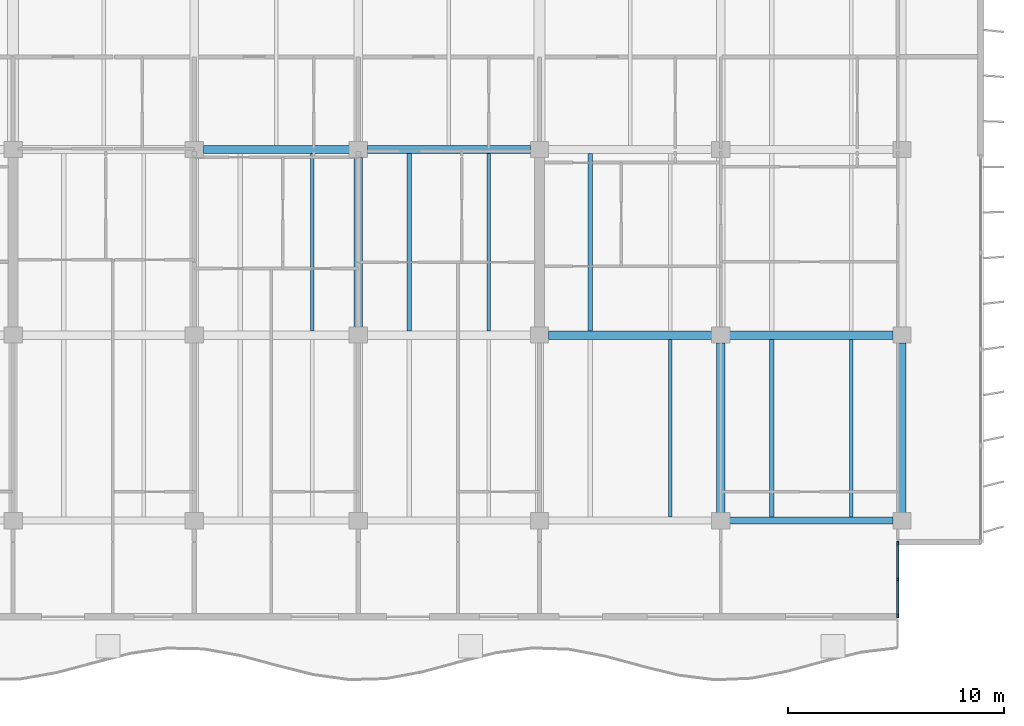
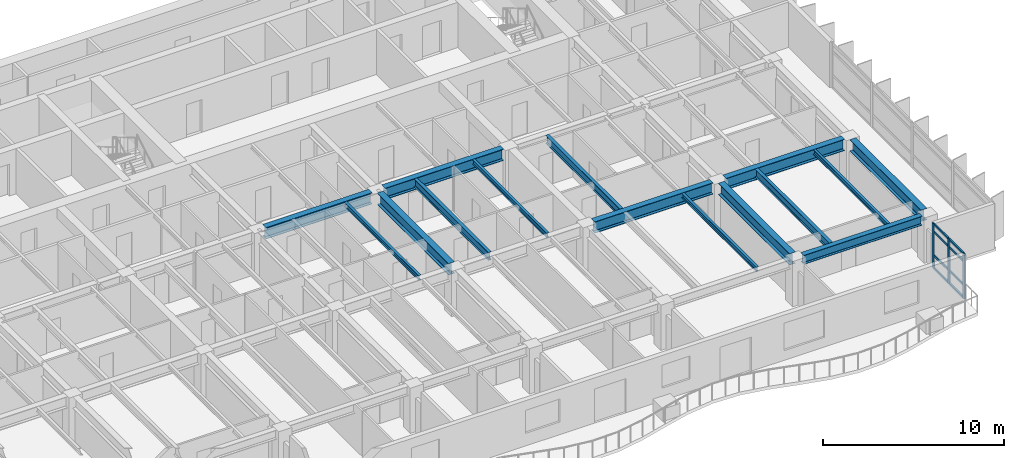
# One storey, part 4 of 19: 15 beams, 11 members, 1 element without a shape of its own.
"""IFC4 building model written with IfcOpenShell, lengths in metres."""

from ifc_helpers import new_model, si_unit, direction, frame, origin, origin_2d, place, context, subcontext, project, spatial, rectangle, i_section, extrude, material, layer, layer_set, material_profile, profile_set, type_object, element, aggregate, save


model = new_model("IFC4")

# Units and contexts
model_context = context("Model", 3, precision=1e-05, world=origin(), true_north=direction((0.0, 1.0)))
body_context = subcontext(model_context, "Body", "Model", "MODEL_VIEW")
ifc_project = project(units=[si_unit("LENGTHUNIT", "METRE"), si_unit("AREAUNIT", "SQUARE_METRE"), si_unit("VOLUMEUNIT", "CUBIC_METRE"), si_unit("PLANEANGLEUNIT", "RADIAN"), si_unit("MASSUNIT", "GRAM", prefix="KILO")], contexts=[model_context])

# Site, building, storey
site_placement = place(None, origin())
site = spatial("IfcSite", under=ifc_project, at=site_placement, CompositionType="ELEMENT")
building_placement = place(site_placement, origin())
building = spatial("IfcBuilding", under=site, at=building_placement, Name="Caelmar Bay Residences", CompositionType="ELEMENT")
storey_placement = place(building_placement, frame((0.0, 0.0, 167.10009765625)))
storey = spatial("IfcBuildingStorey", under=building, at=storey_placement, Name="L46", CompositionType="ELEMENT", Elevation=167.10009765625)

# Beams
ifc_material_1 = material(Name="Steel ASTM A992 Grade 50", Category="steel")
ifc_material_profile_1 = material_profile(ifc_material_1, i_section(OverallWidth=0.381103515625, OverallDepth=0.77197265625, WebThickness=0.0166015625, FlangeThickness=0.027099609375, FilletRadius=0.0166015625, at=origin_2d()), Name="W30X173")
ifc_profile_set_1 = profile_set([ifc_material_profile_1], Name="Steel ASTM A992 Grade 50")
beam_type_1 = type_object("IfcBeamType", Name="BM-GRD-W30X173", PredefinedType="BEAM", material=ifc_profile_set_1)
for number, where, z_axis, x_axis, name in (
    (1, (51.514892578125, 20.800048828125, 2.663818359375), (1.0, 0.0, 0.0), (0.0, 1.0, 0.0), "L46 East-West Girder Y=20.80 (51.1-59.5)"),
    (2, (59.9150390625, 20.800048828125, 2.663818359375), (1.0, 0.0, 0.0), (0.0, 1.0, 0.0), "L46 East-West Girder Y=20.80 (59.5-67.9)"),
):
    element("IfcBeam", number, at=place(storey_placement, frame(where, z_axis=z_axis, x_axis=x_axis)), inside=storey, type_object=beam_type_1, Name=name, PredefinedType="BEAM", context=body_context, shape_type="SweptSolid", body=[
        extrude(i_section(OverallWidth=0.381103515625, OverallDepth=0.77197265625, WebThickness=0.0166015625, FlangeThickness=0.027099609375, FilletRadius=0.0166015625, at=origin_2d()), origin(), (0.0, 0.0, 1.0), 7.570068359375),
    ])
beam_1_placement = place(storey_placement, frame((35.514892578125, 29.39990234375, 2.663818359375), z_axis=(1.0, 0.0, 0.0), x_axis=(0.0, 1.0, 0.0)))
element("IfcBeam", 3, at=beam_1_placement, inside=storey, type_object=beam_type_1, Name="L46 East-West Girder Y=29.40 (35.1-42.7)", PredefinedType="BEAM", context=body_context, shape_type="SweptSolid", body=[
    extrude(i_section(OverallWidth=0.381103515625, OverallDepth=0.77197265625, WebThickness=0.0166015625, FlangeThickness=0.027099609375, FilletRadius=0.0166015625, at=origin_2d()), origin(), (0.0, 0.0, 1.0), 6.77001953125),
])
beam_2_placement = place(storey_placement, frame((43.114990234375, 29.39990234375, 2.663818359375), z_axis=(1.0, 0.0, 0.0), x_axis=(0.0, 1.0, 0.0)))
element("IfcBeam", 4, at=beam_2_placement, inside=storey, type_object=beam_type_1, Name="L46 East-West Girder Y=29.40 (42.7-51.1)", PredefinedType="BEAM", context=body_context, shape_type="SweptSolid", body=[
    extrude(i_section(OverallWidth=0.381103515625, OverallDepth=0.77197265625, WebThickness=0.0166015625, FlangeThickness=0.027099609375, FilletRadius=0.0166015625, at=origin_2d()), origin(), (0.0, 0.0, 1.0), 7.570068359375),
])
beam_3_placement = place(storey_placement, frame((42.699951171875, 21.1650390625, 2.663818359375), z_axis=(0.0, 1.0, 0.0), x_axis=(-1.0, 0.0, 0.0)))
element("IfcBeam", 5, at=beam_3_placement, inside=storey, type_object=beam_type_1, Name="L46 North-South Girder X=42.70 (20.8-29.4)", PredefinedType="BEAM", context=body_context, shape_type="SweptSolid", body=[
    extrude(i_section(OverallWidth=0.381103515625, OverallDepth=0.77197265625, WebThickness=0.0166015625, FlangeThickness=0.027099609375, FilletRadius=0.0166015625, at=origin_2d()), origin(), (0.0, 0.0, 1.0), 7.869873046875),
])
for number, where, z_axis, x_axis, name in (
    (6, (59.5, 12.56494140625, 2.663818359375), (0.0, 1.0, 0.0), (-1.0, 0.0, 0.0), "L46 North-South Girder X=59.50 (12.2-20.8)"),
    (7, (67.89990234375, 12.56494140625, 2.663818359375), (0.0, 1.0, 0.0), (-1.0, 0.0, 0.0), "L46 North-South Girder X=67.90 (12.2-20.8)"),
):
    element("IfcBeam", number, at=place(storey_placement, frame(where, z_axis=z_axis, x_axis=x_axis)), inside=storey, type_object=beam_type_1, Name=name, PredefinedType="BEAM", context=body_context, shape_type="SweptSolid", body=[
        extrude(i_section(OverallWidth=0.381103515625, OverallDepth=0.77197265625, WebThickness=0.0166015625, FlangeThickness=0.027099609375, FilletRadius=0.0166015625, at=origin_2d()), origin(), (0.0, 0.0, 1.0), 7.8701171875),
    ])
ifc_material_profile_2 = material_profile(ifc_material_1, i_section(OverallWidth=0.1650390625, OverallDepth=0.31005859375, WebThickness=0.005859375, FlangeThickness=0.009765625, FilletRadius=0.007568359375, at=origin_2d()), Name="W12X26")
ifc_profile_set_2 = profile_set([ifc_material_profile_2], Name="Steel ASTM A992 Grade 50")
beam_type_2 = type_object("IfcBeamType", Name="BM-JST-W12X26", PredefinedType="JOIST", material=ifc_profile_set_2)
for number, where, z_axis, x_axis, name in (
    (8, (57.14794921875, 12.362548828125, 2.89501953125), (0.0, 1.0, 0.0), (-1.0, 0.0, 0.0), "L46 Composite Floor Joist 12"),
    (9, (65.548095703125, 12.362548828125, 2.89501953125), (0.0, 1.0, 0.0), (-1.0, 0.0, 0.0), "L46 Composite Floor Joist 14"),
):
    element("IfcBeam", number, at=place(storey_placement, frame(where, z_axis=z_axis, x_axis=x_axis)), inside=storey, type_object=beam_type_2, Name=name, PredefinedType="JOIST", context=body_context, shape_type="SweptSolid", body=[
        extrude(i_section(OverallWidth=0.1650390625, OverallDepth=0.31005859375, WebThickness=0.005859375, FlangeThickness=0.009765625, FilletRadius=0.007568359375, at=origin_2d()), origin(), (0.0, 0.0, 1.0), 8.2470703125),
    ])
for number, where, z_axis, x_axis, name in (
    (10, (40.572021484375, 20.990478515625, 2.89501953125), (0.0, 1.0, 0.0), (-1.0, 0.0, 0.0), "L46 Composite Floor Joist 22"),
    (11, (48.748046875, 20.990478515625, 2.89501953125), (0.0, 1.0, 0.0), (-1.0, 0.0, 0.0), "L46 Composite Floor Joist 24"),
):
    element("IfcBeam", number, at=place(storey_placement, frame(where, z_axis=z_axis, x_axis=x_axis)), inside=storey, type_object=beam_type_2, Name=name, PredefinedType="JOIST", context=body_context, shape_type="SweptSolid", body=[
        extrude(i_section(OverallWidth=0.1650390625, OverallDepth=0.31005859375, WebThickness=0.005859375, FlangeThickness=0.009765625, FilletRadius=0.007568359375, at=origin_2d()), origin(), (0.0, 0.0, 1.0), 8.218994140625),
    ])
ifc_material_profile_3 = material_profile(ifc_material_1, i_section(OverallWidth=0.2099609375, OverallDepth=0.535888671875, WebThickness=0.010986328125, FlangeThickness=0.017333984375, FilletRadius=0.0126953125, at=origin_2d()), Name="W21X68")
ifc_profile_set_3 = profile_set([ifc_material_profile_3], Name="Steel ASTM A992 Grade 50")
beam_type_3 = type_object("IfcBeamType", Name="BM-JST-W21X68", PredefinedType="JOIST", material=ifc_profile_set_3)
beam_4_placement = place(storey_placement, frame((61.85205078125, 12.362548828125, 2.781982421875), z_axis=(0.0, 1.0, 0.0), x_axis=(-1.0, 0.0, 0.0)))
element("IfcBeam", 12, at=beam_4_placement, inside=storey, type_object=beam_type_3, Name="L46 Composite Floor Joist 13", PredefinedType="JOIST", context=body_context, shape_type="SweptSolid", body=[
    extrude(i_section(OverallWidth=0.2099609375, OverallDepth=0.535888671875, WebThickness=0.010986328125, FlangeThickness=0.017333984375, FilletRadius=0.0126953125, at=origin_2d()), origin(), (0.0, 0.0, 1.0), 8.2470703125),
])
for number, where, z_axis, x_axis, name in (
    (13, (45.052001953125, 20.990478515625, 2.781982421875), (0.0, 1.0, 0.0), (-1.0, 0.0, 0.0), "L46 Composite Floor Joist 23"),
    (14, (53.451904296875, 20.990478515625, 2.781982421875), (0.0, 1.0, 0.0), (-1.0, 0.0, 0.0), "L46 Composite Floor Joist 25"),
):
    element("IfcBeam", number, at=place(storey_placement, frame(where, z_axis=z_axis, x_axis=x_axis)), inside=storey, type_object=beam_type_3, Name=name, PredefinedType="JOIST", context=body_context, shape_type="SweptSolid", body=[
        extrude(i_section(OverallWidth=0.2099609375, OverallDepth=0.535888671875, WebThickness=0.010986328125, FlangeThickness=0.017333984375, FilletRadius=0.0126953125, at=origin_2d()), origin(), (0.0, 0.0, 1.0), 8.218994140625),
    ])
ifc_material_profile_4 = material_profile(ifc_material_1, i_section(OverallWidth=0.324951171875, OverallDepth=0.616943359375, WebThickness=0.013916015625, FlangeThickness=0.021484375, FilletRadius=0.0126953125, at=origin_2d()), Name="W24X117")
ifc_profile_set_4 = profile_set([ifc_material_profile_4], Name="Steel ASTM A992 Grade 50")
beam_type_4 = type_object("IfcBeamType", Name="BM-SPN-W24X117", PredefinedType="SPANDREL", material=ifc_profile_set_4)
beam_5_placement = place(storey_placement, frame((59.9150390625, 12.199951171875, 2.741455078125), z_axis=(1.0, 0.0, 0.0), x_axis=(0.0, 1.0, 0.0)))
element("IfcBeam", 15, at=beam_5_placement, inside=storey, type_object=beam_type_4, Name="L46 East-West Girder Y=12.20 (59.5-67.9)", PredefinedType="SPANDREL", context=body_context, shape_type="SweptSolid", body=[
    extrude(i_section(OverallWidth=0.324951171875, OverallDepth=0.616943359375, WebThickness=0.013916015625, FlangeThickness=0.021484375, FilletRadius=0.0126953125, at=origin_2d()), origin(), (0.0, 0.0, 1.0), 7.570068359375),
])

# Curtain wall, members
ifc_material_2 = material(Name="Anodised bronze aluminium 6063-T6 and laminated glass", Category="aluminium")
ifc_layer = layer(ifc_material_2, 0.179931640625)
ifc_layer_set = layer_set([ifc_layer], Name="Anodised bronze aluminium 6063-T6 and laminated glass")
curtain_wall_type = type_object("IfcCurtainWallType", Name="CW6-NTC", PredefinedType="NOTDEFINED", material=ifc_layer_set)
curtain_wall_placement = place(storey_placement, origin())
curtain_wall = element("IfcCurtainWall", 16, at=curtain_wall_placement, inside=storey, type_object=curtain_wall_type, Name="CW6 curtain wall L46", PredefinedType="NOTDEFINED")
ifc_material_3 = material(Name="Anodised bronze aluminium 6063-T6", Category="aluminium")
ifc_material_profile_5 = material_profile(ifc_material_3, rectangle(XDim=0.080078125, YDim=0.179931640625, at=origin_2d()), Name="CWM-80X180")
ifc_profile_set_5 = profile_set([ifc_material_profile_5], Name="Anodised bronze aluminium 6063-T6")
member_type_1 = type_object("IfcMemberType", Name="CWM-180", PredefinedType="MULLION", material=ifc_profile_set_5)
member_1_placement = place(storey_placement, frame((67.699951171875, 7.7900390625, 0.0), z_axis=(0.0, 0.0, 1.0), x_axis=(-1.0, 0.0, 0.0)))
member_1 = element("IfcMember", 17, at=member_1_placement, type_object=member_type_1, Name="CW6 mullion 1", PredefinedType="MULLION", context=body_context, shape_type="SweptSolid", body=[
    extrude(rectangle(XDim=0.080078125, YDim=0.179931640625, at=origin_2d()), origin(), (0.0, 0.0, 1.0), 3.0498046875),
])
member_2_placement = place(storey_placement, frame((67.699951171875, 9.47509765625, 0.0), z_axis=(0.0, 0.0, 1.0), x_axis=(-1.0, 0.0, 0.0)))
member_2 = element("IfcMember", 18, at=member_2_placement, type_object=member_type_1, Name="CW6 mullion 2", PredefinedType="MULLION", context=body_context, shape_type="SweptSolid", body=[
    extrude(rectangle(XDim=0.080078125, YDim=0.179931640625, at=origin_2d()), origin(), (0.0, 0.0, 1.0), 3.0498046875),
])
member_3_placement = place(storey_placement, frame((67.699951171875, 11.159912109375, 0.0), z_axis=(0.0, 0.0, 1.0), x_axis=(-1.0, 0.0, 0.0)))
member_3 = element("IfcMember", 19, at=member_3_placement, type_object=member_type_1, Name="CW6 mullion 3", PredefinedType="MULLION", context=body_context, shape_type="SweptSolid", body=[
    extrude(rectangle(XDim=0.080078125, YDim=0.179931640625, at=origin_2d()), origin(), (0.0, 0.0, 1.0), 3.0498046875),
])
ifc_material_profile_6 = material_profile(ifc_material_3, rectangle(XDim=0.080078125, YDim=0.139892578125, at=origin_2d()), Name="CWT-80X140")
ifc_profile_set_6 = profile_set([ifc_material_profile_6], Name="Anodised bronze aluminium 6063-T6")
member_type_2 = type_object("IfcMemberType", Name="CWT-140", PredefinedType="NOTDEFINED", material=ifc_profile_set_6)
member_4_placement = place(storey_placement, frame((67.699951171875, 7.830078125, 0.039794921875), z_axis=(0.0, 1.0, 0.0), x_axis=(-1.0, 0.0, 0.0)))
member_4 = element("IfcMember", 20, at=member_4_placement, type_object=member_type_2, Name="CW6 transom 1.1", ObjectType="TRANSOM", PredefinedType="USERDEFINED", context=body_context, shape_type="SweptSolid", body=[
    extrude(rectangle(XDim=0.080078125, YDim=0.139892578125, at=origin_2d()), origin(), (0.0, 0.0, 1.0), 1.60498046875),
])
member_5_placement = place(storey_placement, frame((67.699951171875, 7.830078125, 0.89990234375), z_axis=(0.0, 1.0, 0.0), x_axis=(-1.0, 0.0, 0.0)))
member_5 = element("IfcMember", 21, at=member_5_placement, type_object=member_type_2, Name="CW6 transom 1.2", ObjectType="TRANSOM", PredefinedType="USERDEFINED", context=body_context, shape_type="SweptSolid", body=[
    extrude(rectangle(XDim=0.080078125, YDim=0.139892578125, at=origin_2d()), origin(), (0.0, 0.0, 1.0), 1.60498046875),
])
member_6_placement = place(storey_placement, frame((67.699951171875, 7.830078125, 2.5), z_axis=(0.0, 1.0, 0.0), x_axis=(-1.0, 0.0, 0.0)))
member_6 = element("IfcMember", 22, at=member_6_placement, type_object=member_type_2, Name="CW6 transom 1.3", ObjectType="TRANSOM", PredefinedType="USERDEFINED", context=body_context, shape_type="SweptSolid", body=[
    extrude(rectangle(XDim=0.080078125, YDim=0.139892578125, at=origin_2d()), origin(), (0.0, 0.0, 1.0), 1.60498046875),
])
member_7_placement = place(storey_placement, frame((67.699951171875, 7.830078125, 3.010009765625), z_axis=(0.0, 1.0, 0.0), x_axis=(-1.0, 0.0, 0.0)))
member_7 = element("IfcMember", 23, at=member_7_placement, type_object=member_type_2, Name="CW6 transom 1.4", ObjectType="TRANSOM", PredefinedType="USERDEFINED", context=body_context, shape_type="SweptSolid", body=[
    extrude(rectangle(XDim=0.080078125, YDim=0.139892578125, at=origin_2d()), origin(), (0.0, 0.0, 1.0), 1.60498046875),
])
member_8_placement = place(storey_placement, frame((67.699951171875, 9.514892578125, 0.039794921875), z_axis=(0.0, 1.0, 0.0), x_axis=(-1.0, 0.0, 0.0)))
member_8 = element("IfcMember", 24, at=member_8_placement, type_object=member_type_2, Name="CW6 transom 2.1", ObjectType="TRANSOM", PredefinedType="USERDEFINED", context=body_context, shape_type="SweptSolid", body=[
    extrude(rectangle(XDim=0.080078125, YDim=0.139892578125, at=origin_2d()), origin(), (0.0, 0.0, 1.0), 1.605224609375),
])
member_9_placement = place(storey_placement, frame((67.699951171875, 9.514892578125, 0.89990234375), z_axis=(0.0, 1.0, 0.0), x_axis=(-1.0, 0.0, 0.0)))
member_9 = element("IfcMember", 25, at=member_9_placement, type_object=member_type_2, Name="CW6 transom 2.2", ObjectType="TRANSOM", PredefinedType="USERDEFINED", context=body_context, shape_type="SweptSolid", body=[
    extrude(rectangle(XDim=0.080078125, YDim=0.139892578125, at=origin_2d()), origin(), (0.0, 0.0, 1.0), 1.605224609375),
])
member_10_placement = place(storey_placement, frame((67.699951171875, 9.514892578125, 2.5), z_axis=(0.0, 1.0, 0.0), x_axis=(-1.0, 0.0, 0.0)))
member_10 = element("IfcMember", 26, at=member_10_placement, type_object=member_type_2, Name="CW6 transom 2.3", ObjectType="TRANSOM", PredefinedType="USERDEFINED", context=body_context, shape_type="SweptSolid", body=[
    extrude(rectangle(XDim=0.080078125, YDim=0.139892578125, at=origin_2d()), origin(), (0.0, 0.0, 1.0), 1.605224609375),
])
member_11_placement = place(storey_placement, frame((67.699951171875, 9.514892578125, 3.010009765625), z_axis=(0.0, 1.0, 0.0), x_axis=(-1.0, 0.0, 0.0)))
member_11 = element("IfcMember", 27, at=member_11_placement, type_object=member_type_2, Name="CW6 transom 2.4", ObjectType="TRANSOM", PredefinedType="USERDEFINED", context=body_context, shape_type="SweptSolid", body=[
    extrude(rectangle(XDim=0.080078125, YDim=0.139892578125, at=origin_2d()), origin(), (0.0, 0.0, 1.0), 1.605224609375),
])
aggregate(curtain_wall, [member_1, member_2, member_3, member_4, member_5, member_6, member_7, member_8, member_9, member_10, member_11])

save(model, "model.ifc")
